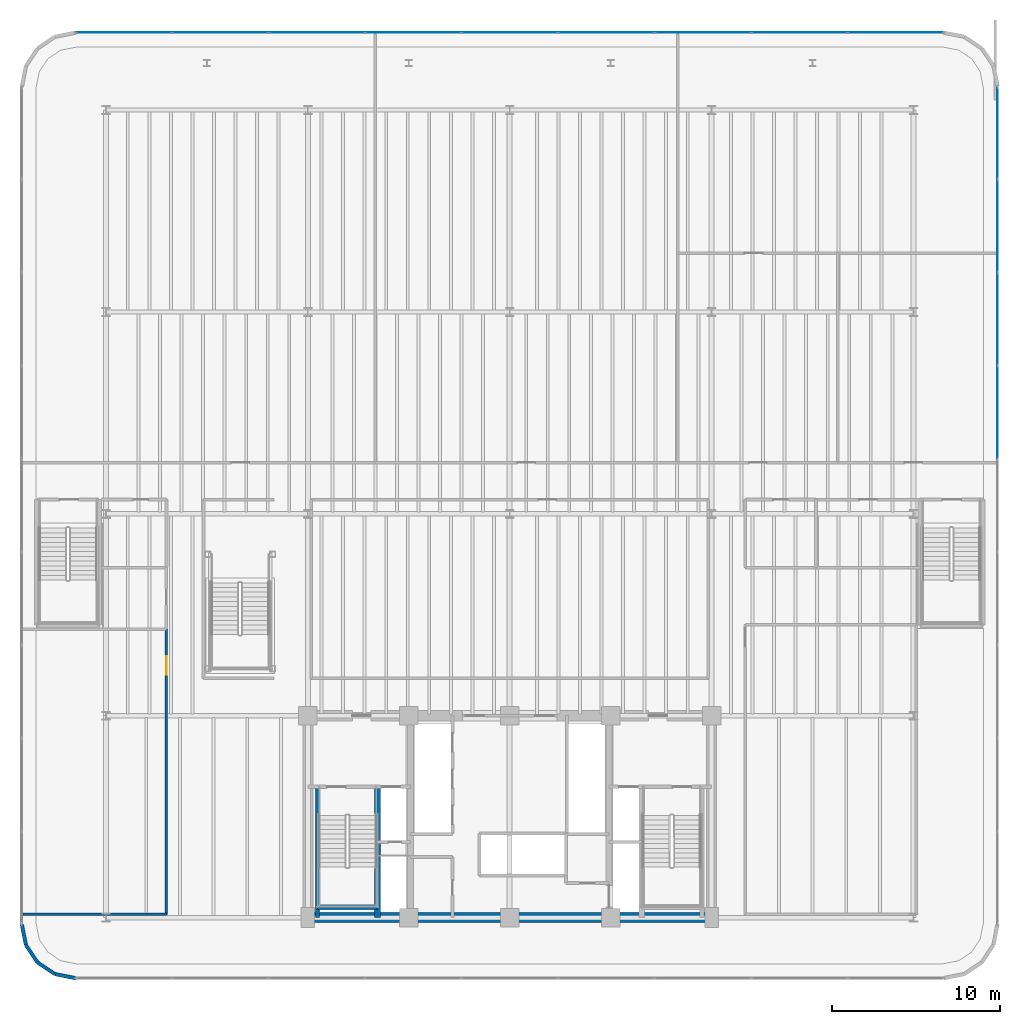
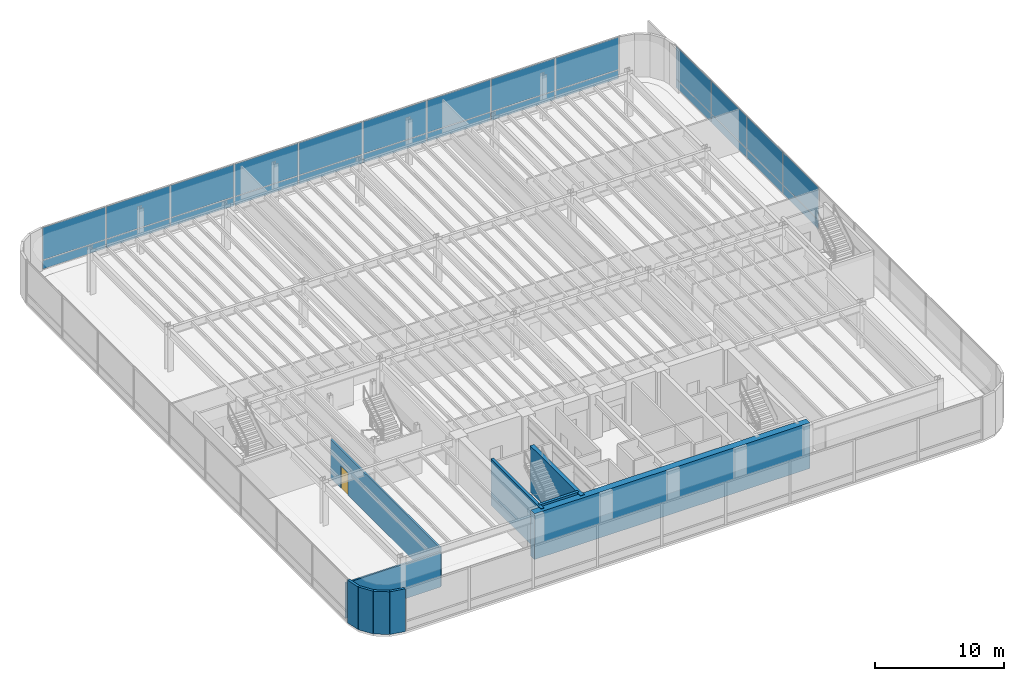
# One storey, part 12 of 19: 26 plates, 10 walls, 1 door, 1 opening, 2 elements without a shape of their own.
"""IFC4 building model written with IfcOpenShell, lengths in metres."""

import ifcopenshell
import ifcopenshell.guid

model = None  # the IFC model being written
_history = None  # IfcOwnerHistory: only IFC2X3 demands one
_inside = {}  # id of a spatial element -> (the spatial element, [elements in it])
_under = {}  # id of a project, library or spatial element -> (it, [spatial elements below it])
_declared = {}  # id of a project -> (the project, [libraries it declares])
_typed = {}  # id of a type object -> (the type object, [elements of that type])
_made_of = {}  # id of a material, layer set ... -> (it, [elements and type objects made of it])


def new_model(schema):
    """Start an empty IFC model of exactly this schema.

    Asked for "IFC4X3", IfcOpenShell would pick the latest addendum, in which some entities
    have other attributes; the version numbers below select the first issue.
    IFC2X3 requires an IfcOwnerHistory on every rooted entity: one is made here for all.
    """
    global model, _history
    if schema == "IFC4X3":
        model = ifcopenshell.file(schema_version=(4, 3, 0, 0))
    else:
        model = ifcopenshell.file(schema=schema)
    _inside.clear()
    _under.clear()
    _declared.clear()
    _typed.clear()
    _made_of.clear()
    _history = None
    if model.schema == "IFC2X3":
        org = make("IfcOrganization", Name="unknown")
        user = make(
            "IfcPersonAndOrganization",
            ThePerson=make("IfcPerson", FamilyName="unknown"),
            TheOrganization=org,
        )
        app = make(
            "IfcApplication",
            ApplicationDeveloper=org,
            Version="unknown",
            ApplicationFullName="unknown",
            ApplicationIdentifier="unknown",
        )
        _history = make(
            "IfcOwnerHistory",
            OwningUser=user,
            OwningApplication=app,
            ChangeAction="ADDED",
            CreationDate=0,
        )
    return model


def make(cls, **values):
    """One entity of the class cls with the attributes given. An attribute that is None is left unset."""
    return model.create_entity(
        cls, **{name: value for name, value in values.items() if value is not None}
    )


def rooted(cls, **values):
    """An entity with a GlobalId (a new one), such as an element, a storey or a relation."""
    return make(cls, GlobalId=ifcopenshell.guid.new(), OwnerHistory=_history, **values)


def si_unit(unit_type, name, prefix=None):
    """IfcSIUnit, for example si_unit("LENGTHUNIT", "METRE", prefix="MILLI")."""
    return make("IfcSIUnit", UnitType=unit_type, Prefix=prefix, Name=name)


def assignment(units):
    """IfcUnitAssignment: the units of a project."""
    return None if units is None else make("IfcUnitAssignment", Units=units)


def point(xyz):
    """IfcCartesianPoint."""
    return None if xyz is None else make("IfcCartesianPoint", Coordinates=xyz)


def direction(xyz):
    """IfcDirection."""
    return None if xyz is None else make("IfcDirection", DirectionRatios=xyz)


def frame(location, z_axis=None, x_axis=None):
    """IfcAxis2Placement3D, a coordinate frame: its origin and axes. An axis left out is left unset."""
    return make(
        "IfcAxis2Placement3D",
        Location=point(location),
        Axis=direction(z_axis),
        RefDirection=direction(x_axis),
    )


def frame_2d(location, x_axis=None):
    """IfcAxis2Placement2D, a coordinate frame in the plane: its origin and x axis."""
    return make(
        "IfcAxis2Placement2D", Location=point(location), RefDirection=direction(x_axis)
    )


def origin():
    """The frame at (0, 0, 0) with its axes left unset."""
    return frame((0.0, 0.0, 0.0))


def origin_2d():
    """The frame at (0, 0) in the plane with its x axis left unset."""
    return frame_2d((0.0, 0.0))


def place(relative_to, where):
    """IfcLocalPlacement: puts the frame where relative to a parent placement (None: the world)."""
    return make(
        "IfcLocalPlacement", PlacementRelTo=relative_to, RelativePlacement=where
    )


def context(
    kind, dimensions, precision=None, world=None, true_north=None, identifier=None
):
    """IfcGeometricRepresentationContext, for example the 3D "Model" context."""
    return make(
        "IfcGeometricRepresentationContext",
        ContextIdentifier=identifier,
        ContextType=kind,
        CoordinateSpaceDimension=dimensions,
        Precision=precision,
        WorldCoordinateSystem=world,
        TrueNorth=true_north,
    )


def subcontext(parent, identifier, kind, view, scale=None):
    """IfcGeometricRepresentationSubContext, for example "Body" below "Model"."""
    return make(
        "IfcGeometricRepresentationSubContext",
        ContextIdentifier=identifier,
        ContextType=kind,
        ParentContext=parent,
        TargetScale=scale,
        TargetView=view,
    )


def project(units=None, contexts=None):
    """IfcProject with its units and contexts."""
    return rooted(
        "IfcProject",
        Name="project",
        RepresentationContexts=contexts,
        UnitsInContext=assignment(units),
    )


def spatial(cls, under=None, at=None, **own):
    """A site, building, storey or space (cls), placed at a placement, below another one or the project."""
    s = rooted(cls, ObjectPlacement=at, **own)
    if under is not None:
        _under.setdefault(under.id(), (under, []))[1].append(s)
    return s


def profile(cls, at=None, kind="AREA", **sizes):
    """A parametric profile (cls). Its sizes go by their IFC names, for example OverallWidth=200.0."""
    return make(cls, ProfileType=kind, Position=at, **sizes)


def rectangle(**sizes):
    """IfcRectangleProfileDef."""
    return profile("IfcRectangleProfileDef", **sizes)


def extrude(swept, where, along, depth):
    """IfcExtrudedAreaSolid: the profile swept, set in the frame where, extruded along a direction by depth."""
    return make(
        "IfcExtrudedAreaSolid",
        SweptArea=swept,
        Position=where,
        ExtrudedDirection=direction(along),
        Depth=depth,
    )


def shape(context_of_items, identifier, shape_type, items):
    """IfcShapeRepresentation: the items that make up one representation, for example the "Body"."""
    return make(
        "IfcShapeRepresentation",
        ContextOfItems=context_of_items,
        RepresentationIdentifier=identifier,
        RepresentationType=shape_type,
        Items=items,
    )


def source(mapping_origin, context_of_items, identifier, shape_type, items):
    """IfcRepresentationMap: a shape defined once, which mapped items show again and again."""
    return make(
        "IfcRepresentationMap",
        MappingOrigin=mapping_origin,
        MappedRepresentation=shape(context_of_items, identifier, shape_type, items),
    )


def transform(
    local_origin,
    x_axis=None,
    y_axis=None,
    z_axis=None,
    scale=None,
    scale2=None,
    scale3=None,
    uniform=True,
):
    """IfcCartesianTransformationOperator3D, or its non-uniform kind. x_axis, y_axis, z_axis: its Axis1, 2, 3."""
    if uniform:
        return make(
            "IfcCartesianTransformationOperator3D",
            Axis1=direction(x_axis),
            Axis2=direction(y_axis),
            LocalOrigin=point(local_origin),
            Scale=scale,
            Axis3=direction(z_axis),
        )
    return make(
        "IfcCartesianTransformationOperator3DnonUniform",
        Axis1=direction(x_axis),
        Axis2=direction(y_axis),
        LocalOrigin=point(local_origin),
        Scale=scale,
        Axis3=direction(z_axis),
        Scale2=scale2,
        Scale3=scale3,
    )


def mapped(mapping_source, mapping_target):
    """IfcMappedItem: shows the shape of a source again, moved by a transform."""
    return make(
        "IfcMappedItem", MappingSource=mapping_source, MappingTarget=mapping_target
    )


def material(Name=None, Category=None):
    """IfcMaterial."""
    return make("IfcMaterial", Name=Name, Category=Category)


def layer(
    of_material, thickness, ventilated=None, Name=None, Category=None, Priority=None
):
    """IfcMaterialLayer: one layer of a wall or slab, of a material (None: an air gap)."""
    return make(
        "IfcMaterialLayer",
        Material=of_material,
        LayerThickness=thickness,
        IsVentilated=ventilated,
        Name=Name,
        Category=Category,
        Priority=Priority,
    )


def layer_set(layers, Name=None):
    """IfcMaterialLayerSet."""
    return make("IfcMaterialLayerSet", MaterialLayers=layers, LayerSetName=Name)


def made_of(thing, what):
    """Note that an element or type object is made of a material, layer set ...; save() writes the relation."""
    if what is not None:
        _made_of.setdefault(what.id(), (what, []))[1].append(thing)
    return thing


def type_object(cls, material=None, **own):
    """A type object (cls), such as IfcWallType, which elements share."""
    return made_of(rooted(cls, **own), material)


def element(
    cls,
    number,
    at=None,
    inside=None,
    cuts=None,
    type_object=None,
    material=None,
    context=None,
    identifier="Body",
    shape_type=None,
    held_by="IfcProductDefinitionShape",
    body=None,
    shapes=None,
    **own,
):
    """One element of the class cls, such as IfcWall. Its Tag is "e" and its number.

    at: its placement. inside: the storey or other place that contains it. cuts: it is an
    opening in that element (IfcRelVoidsElement). A single representation is given by context,
    identifier, shape_type and body (its items); several are given by shapes. held_by: the class
    of the entity that holds the representations. save() writes the other relations.
    """
    e = rooted(cls, Tag="e%d" % number, ObjectPlacement=at, **own)
    if body is not None:
        shapes = [shape(context, identifier, shape_type, body)]
    if shapes is not None:
        e.Representation = make(held_by, Representations=shapes)
    if inside is not None:
        _inside.setdefault(inside.id(), (inside, []))[1].append(e)
    if cuts is not None:
        rooted(
            "IfcRelVoidsElement", RelatingBuildingElement=cuts, RelatedOpeningElement=e
        )
    if type_object is not None:
        _typed.setdefault(type_object.id(), (type_object, []))[1].append(e)
    return made_of(e, material)


def fill(opening, filler):
    """IfcRelFillsElement: the door or window that sits in an opening."""
    return rooted(
        "IfcRelFillsElement",
        RelatingOpeningElement=opening,
        RelatedBuildingElement=filler,
    )


def aggregate(whole, parts):
    """IfcRelAggregates: a whole, such as a stair, and the parts it consists of."""
    return rooted("IfcRelAggregates", RelatingObject=whole, RelatedObjects=parts)


def save(model, path):
    """Write the relations noted so far, then the file.

    IfcRelAggregates (storeys below a building ...), IfcRelContainedInSpatialStructure (elements
    in a storey), IfcRelDefinesByType, IfcRelAssociatesMaterial and IfcRelDeclares: one each for
    every whole, place, type object, material and project.
    """
    for whole, parts in _under.values():
        aggregate(whole, parts)
    for where, things in _inside.values():
        rooted(
            "IfcRelContainedInSpatialStructure",
            RelatedElements=things,
            RelatingStructure=where,
        )
    for kind, things in _typed.values():
        rooted("IfcRelDefinesByType", RelatedObjects=things, RelatingType=kind)
    for what, things in _made_of.values():
        rooted("IfcRelAssociatesMaterial", RelatedObjects=things, RelatingMaterial=what)
    for by, libraries in _declared.values():
        rooted("IfcRelDeclares", RelatingContext=by, RelatedDefinitions=libraries)
    model.write(path)


model = new_model("IFC4")

# Units and contexts
model_context = context("Model", 3, precision=1e-05, world=origin(), true_north=direction((0.0, 1.0)))
body_context = subcontext(model_context, "Body", "Model", "MODEL_VIEW")
ifc_project = project(units=[si_unit("LENGTHUNIT", "METRE"), si_unit("AREAUNIT", "SQUARE_METRE"), si_unit("VOLUMEUNIT", "CUBIC_METRE"), si_unit("PLANEANGLEUNIT", "RADIAN"), si_unit("MASSUNIT", "GRAM", prefix="KILO")], contexts=[model_context])

# Site, building, storey
site_placement = place(None, origin())
site = spatial("IfcSite", under=ifc_project, at=site_placement, CompositionType="ELEMENT")
building_placement = place(site_placement, origin())
building = spatial("IfcBuilding", under=site, at=building_placement, Name="Brelvock Crest Care Tower", CompositionType="ELEMENT")
storey_placement = place(building_placement, frame((0.0, 0.0, 14.0400390625)))
storey = spatial("IfcBuildingStorey", under=building, at=storey_placement, Name="L03", CompositionType="ELEMENT", Elevation=14.0400390625)

# Curtain wall, plates
ifc_material_1 = material(Name="Dark Glass Double Glazed Low-E", Category="glass")
ifc_layer_1 = layer(ifc_material_1, 0.179931640625, Name="CWS-1")
ifc_layer_set_1 = layer_set([ifc_layer_1], Name="Dark Glass Double Glazed Low-E")
curtain_wall_type = type_object("IfcCurtainWallType", Name="CWS-1", PredefinedType="NOTDEFINED", material=ifc_layer_set_1)
curtain_wall_1_placement = place(storey_placement, origin())
curtain_wall_1 = element("IfcCurtainWall", 1, at=curtain_wall_1_placement, inside=storey, type_object=curtain_wall_type, Name="L03 Curtain Wall E14", PredefinedType="NOTDEFINED")
ifc_material_2 = material(Name="Dark Glass Shadow-Box Spandrel", Category="glass")
ifc_layer_2 = layer(ifc_material_2, 0.048095703125, Name="CWP-SP1")
ifc_layer_set_2 = layer_set([ifc_layer_2], Name="Dark Glass Shadow-Box Spandrel")
plate_type_1 = type_object("IfcPlateType", Name="CWP-SP1", PredefinedType="SHEET", material=ifc_layer_set_2)
shared_shape_1 = source(origin(), body_context, "Body", "SweptSolid", [
    extrude(rectangle(XDim=5.435791015625, YDim=0.035888671875, at=origin_2d()), origin(), (0.0, 0.0, 1.0), 0.802490234375),
])
plate_1_placement = place(storey_placement, frame((65.0, 52.6171875, 0.06494140625), z_axis=(0.0, 0.0, 1.0), x_axis=(0.0, -1.0, 0.0)))
plate_1 = element("IfcPlate", 2, at=plate_1_placement, type_object=plate_type_1, Name="CW-1 panel 1.1", PredefinedType="SHEET", context=body_context, shape_type="MappedRepresentation", body=[
    mapped(shared_shape_1, transform((0.0, 0.0, 0.0), x_axis=(1.0, 0.0, 0.0), y_axis=(0.0, 1.0, 0.0), z_axis=(0.0, 0.0, 1.0), scale=1.0)),
])
ifc_layer_3 = layer(ifc_material_1, 0.031982421875, Name="CWP-V1")
ifc_layer_set_3 = layer_set([ifc_layer_3], Name="Dark Glass Double Glazed Low-E")
plate_type_2 = type_object("IfcPlateType", Name="CWP-V1", PredefinedType="CURTAIN_PANEL", material=ifc_layer_set_3)
shared_shape_2 = source(origin(), body_context, "Body", "SweptSolid", [
    extrude(rectangle(XDim=5.435791015625, YDim=0.035888671875, at=origin_2d()), origin(), (0.0, 0.0, 1.0), 3.04248046875),
])
plate_2_placement = place(storey_placement, frame((65.0, 52.6171875, 0.932373046875), z_axis=(0.0, 0.0, 1.0), x_axis=(0.0, -1.0, 0.0)))
plate_2 = element("IfcPlate", 3, at=plate_2_placement, type_object=plate_type_2, Name="CW-1 panel 1.2", PredefinedType="CURTAIN_PANEL", context=body_context, shape_type="MappedRepresentation", body=[
    mapped(shared_shape_2, transform((0.0, 0.0, 0.0), x_axis=(1.0, 0.0, 0.0), y_axis=(0.0, 1.0, 0.0), z_axis=(0.0, 0.0, 1.0), scale=1.0)),
])
shared_shape_3 = source(origin(), body_context, "Body", "SweptSolid", [
    extrude(rectangle(XDim=5.46826171875, YDim=0.035888671875, at=origin_2d()), origin(), (0.0, 0.0, 1.0), 0.802490234375),
])
plate_3_placement = place(storey_placement, frame((65.0, 47.10009765625, 0.06494140625), z_axis=(0.0, 0.0, 1.0), x_axis=(0.0, -1.0, 0.0)))
plate_3 = element("IfcPlate", 4, at=plate_3_placement, type_object=plate_type_1, Name="CW-1 panel 2.1", PredefinedType="SHEET", context=body_context, shape_type="MappedRepresentation", body=[
    mapped(shared_shape_3, transform((0.0, 0.0, 0.0), x_axis=(1.0, 0.0, 0.0), y_axis=(0.0, 1.0, 0.0), z_axis=(0.0, 0.0, 1.0), scale=1.0)),
])
plate_4_placement = place(storey_placement, frame((65.0, 41.566650390625, 0.06494140625), z_axis=(0.0, 0.0, 1.0), x_axis=(0.0, -1.0, 0.0)))
plate_4 = element("IfcPlate", 5, at=plate_4_placement, type_object=plate_type_1, Name="CW-1 panel 3.1", PredefinedType="SHEET", context=body_context, shape_type="MappedRepresentation", body=[
    mapped(shared_shape_3, transform((0.0, 0.0, 0.0), x_axis=(1.0, 0.0, 0.0), y_axis=(0.0, 1.0, 0.0), z_axis=(0.0, 0.0, 1.0), scale=1.0)),
])
plate_5_placement = place(storey_placement, frame((65.0, 36.033447265625, 0.06494140625), z_axis=(0.0, 0.0, 1.0), x_axis=(0.0, -1.0, 0.0)))
plate_5 = element("IfcPlate", 6, at=plate_5_placement, type_object=plate_type_1, Name="CW-1 panel 4.1", PredefinedType="SHEET", context=body_context, shape_type="MappedRepresentation", body=[
    mapped(shared_shape_3, transform((0.0, 0.0, 0.0), x_axis=(1.0, 0.0, 0.0), y_axis=(0.0, 1.0, 0.0), z_axis=(0.0, 0.0, 1.0), scale=1.0)),
])
shared_shape_4 = source(origin(), body_context, "Body", "SweptSolid", [
    extrude(rectangle(XDim=5.46826171875, YDim=0.035888671875, at=origin_2d()), origin(), (0.0, 0.0, 1.0), 3.04248046875),
])
plate_6_placement = place(storey_placement, frame((65.0, 47.10009765625, 0.932373046875), z_axis=(0.0, 0.0, 1.0), x_axis=(0.0, -1.0, 0.0)))
plate_6 = element("IfcPlate", 7, at=plate_6_placement, type_object=plate_type_2, Name="CW-1 panel 2.2", PredefinedType="CURTAIN_PANEL", context=body_context, shape_type="MappedRepresentation", body=[
    mapped(shared_shape_4, transform((0.0, 0.0, 0.0), x_axis=(1.0, 0.0, 0.0), y_axis=(0.0, 1.0, 0.0), z_axis=(0.0, 0.0, 1.0), scale=1.0)),
])
plate_7_placement = place(storey_placement, frame((65.0, 41.566650390625, 0.932373046875), z_axis=(0.0, 0.0, 1.0), x_axis=(0.0, -1.0, 0.0)))
plate_7 = element("IfcPlate", 8, at=plate_7_placement, type_object=plate_type_2, Name="CW-1 panel 3.2", PredefinedType="CURTAIN_PANEL", context=body_context, shape_type="MappedRepresentation", body=[
    mapped(shared_shape_4, transform((0.0, 0.0, 0.0), x_axis=(1.0, 0.0, 0.0), y_axis=(0.0, 1.0, 0.0), z_axis=(0.0, 0.0, 1.0), scale=1.0)),
])
plate_8_placement = place(storey_placement, frame((65.0, 36.033447265625, 0.932373046875), z_axis=(0.0, 0.0, 1.0), x_axis=(0.0, -1.0, 0.0)))
plate_8 = element("IfcPlate", 9, at=plate_8_placement, type_object=plate_type_2, Name="CW-1 panel 4.2", PredefinedType="CURTAIN_PANEL", context=body_context, shape_type="MappedRepresentation", body=[
    mapped(shared_shape_4, transform((0.0, 0.0, 0.0), x_axis=(1.0, 0.0, 0.0), y_axis=(0.0, 1.0, 0.0), z_axis=(0.0, 0.0, 1.0), scale=1.0)),
])
aggregate(curtain_wall_1, [plate_1, plate_2, plate_3, plate_6, plate_4, plate_7, plate_5, plate_8])

curtain_wall_2_placement = place(storey_placement, origin())
curtain_wall_2 = element("IfcCurtainWall", 10, at=curtain_wall_2_placement, inside=storey, type_object=curtain_wall_type, Name="L03 Curtain Wall E09", PredefinedType="NOTDEFINED")
shared_shape_5 = source(origin(), body_context, "Body", "SweptSolid", [
    extrude(rectangle(XDim=5.6357421875, YDim=0.035888671875, at=origin_2d()), origin(), (0.0, 0.0, 1.0), 0.802490234375),
])
plate_9_placement = place(storey_placement, frame((13.0830078125, 58.60009765625, 0.06494140625), z_axis=(0.0, 0.0, 1.0), x_axis=(1.0, 0.0, 0.0)))
plate_9 = element("IfcPlate", 11, at=plate_9_placement, type_object=plate_type_1, Name="CW-1 panel 1.1", PredefinedType="SHEET", context=body_context, shape_type="MappedRepresentation", body=[
    mapped(shared_shape_5, transform((0.0, 0.0, 0.0), x_axis=(1.0, 0.0, 0.0), y_axis=(0.0, 1.0, 0.0), z_axis=(0.0, 0.0, 1.0), scale=1.0)),
])
plate_10_placement = place(storey_placement, frame((58.9169921875, 58.60009765625, 0.06494140625), z_axis=(0.0, 0.0, 1.0), x_axis=(1.0, 0.0, 0.0)))
plate_10 = element("IfcPlate", 12, at=plate_10_placement, type_object=plate_type_1, Name="CW-1 panel 9.1", PredefinedType="SHEET", context=body_context, shape_type="MappedRepresentation", body=[
    mapped(shared_shape_5, transform((0.0, 0.0, 0.0), x_axis=(1.0, 0.0, 0.0), y_axis=(0.0, 1.0, 0.0), z_axis=(0.0, 0.0, 1.0), scale=1.0)),
])
shared_shape_6 = source(origin(), body_context, "Body", "SweptSolid", [
    extrude(rectangle(XDim=5.6357421875, YDim=0.035888671875, at=origin_2d()), origin(), (0.0, 0.0, 1.0), 3.04248046875),
])
plate_11_placement = place(storey_placement, frame((13.0830078125, 58.60009765625, 0.932373046875), z_axis=(0.0, 0.0, 1.0), x_axis=(1.0, 0.0, 0.0)))
plate_11 = element("IfcPlate", 13, at=plate_11_placement, type_object=plate_type_2, Name="CW-1 panel 1.2", PredefinedType="CURTAIN_PANEL", context=body_context, shape_type="MappedRepresentation", body=[
    mapped(shared_shape_6, transform((0.0, 0.0, 0.0), x_axis=(1.0, 0.0, 0.0), y_axis=(0.0, 1.0, 0.0), z_axis=(0.0, 0.0, 1.0), scale=1.0)),
])
plate_12_placement = place(storey_placement, frame((58.9169921875, 58.60009765625, 0.932373046875), z_axis=(0.0, 0.0, 1.0), x_axis=(1.0, 0.0, 0.0)))
plate_12 = element("IfcPlate", 14, at=plate_12_placement, type_object=plate_type_2, Name="CW-1 panel 9.2", PredefinedType="CURTAIN_PANEL", context=body_context, shape_type="MappedRepresentation", body=[
    mapped(shared_shape_6, transform((0.0, 0.0, 0.0), x_axis=(1.0, 0.0, 0.0), y_axis=(0.0, 1.0, 0.0), z_axis=(0.0, 0.0, 1.0), scale=1.0)),
])
shared_shape_7 = source(origin(), body_context, "Body", "SweptSolid", [
    extrude(rectangle(XDim=5.668212890625, YDim=0.035888671875, at=origin_2d()), origin(), (0.0, 0.0, 1.0), 0.802490234375),
])
plate_13_placement = place(storey_placement, frame((18.800048828125, 58.60009765625, 0.06494140625), z_axis=(0.0, 0.0, 1.0), x_axis=(1.0, 0.0, 0.0)))
plate_13 = element("IfcPlate", 15, at=plate_13_placement, type_object=plate_type_1, Name="CW-1 panel 2.1", PredefinedType="SHEET", context=body_context, shape_type="MappedRepresentation", body=[
    mapped(shared_shape_7, transform((0.0, 0.0, 0.0), x_axis=(1.0, 0.0, 0.0), y_axis=(0.0, 1.0, 0.0), z_axis=(0.0, 0.0, 1.0), scale=1.0)),
])
plate_14_placement = place(storey_placement, frame((24.533447265625, 58.60009765625, 0.06494140625), z_axis=(0.0, 0.0, 1.0), x_axis=(1.0, 0.0, 0.0)))
plate_14 = element("IfcPlate", 16, at=plate_14_placement, type_object=plate_type_1, Name="CW-1 panel 3.1", PredefinedType="SHEET", context=body_context, shape_type="MappedRepresentation", body=[
    mapped(shared_shape_7, transform((0.0, 0.0, 0.0), x_axis=(1.0, 0.0, 0.0), y_axis=(0.0, 1.0, 0.0), z_axis=(0.0, 0.0, 1.0), scale=1.0)),
])
plate_15_placement = place(storey_placement, frame((30.2666015625, 58.60009765625, 0.06494140625), z_axis=(0.0, 0.0, 1.0), x_axis=(1.0, 0.0, 0.0)))
plate_15 = element("IfcPlate", 17, at=plate_15_placement, type_object=plate_type_1, Name="CW-1 panel 4.1", PredefinedType="SHEET", context=body_context, shape_type="MappedRepresentation", body=[
    mapped(shared_shape_7, transform((0.0, 0.0, 0.0), x_axis=(1.0, 0.0, 0.0), y_axis=(0.0, 1.0, 0.0), z_axis=(0.0, 0.0, 1.0), scale=1.0)),
])
plate_16_placement = place(storey_placement, frame((36.0, 58.60009765625, 0.06494140625), z_axis=(0.0, 0.0, 1.0), x_axis=(1.0, 0.0, 0.0)))
plate_16 = element("IfcPlate", 18, at=plate_16_placement, type_object=plate_type_1, Name="CW-1 panel 5.1", PredefinedType="SHEET", context=body_context, shape_type="MappedRepresentation", body=[
    mapped(shared_shape_7, transform((0.0, 0.0, 0.0), x_axis=(1.0, 0.0, 0.0), y_axis=(0.0, 1.0, 0.0), z_axis=(0.0, 0.0, 1.0), scale=1.0)),
])
plate_17_placement = place(storey_placement, frame((41.7333984375, 58.60009765625, 0.06494140625), z_axis=(0.0, 0.0, 1.0), x_axis=(1.0, 0.0, 0.0)))
plate_17 = element("IfcPlate", 19, at=plate_17_placement, type_object=plate_type_1, Name="CW-1 panel 6.1", PredefinedType="SHEET", context=body_context, shape_type="MappedRepresentation", body=[
    mapped(shared_shape_7, transform((0.0, 0.0, 0.0), x_axis=(1.0, 0.0, 0.0), y_axis=(0.0, 1.0, 0.0), z_axis=(0.0, 0.0, 1.0), scale=1.0)),
])
plate_18_placement = place(storey_placement, frame((47.466552734375, 58.60009765625, 0.06494140625), z_axis=(0.0, 0.0, 1.0), x_axis=(1.0, 0.0, 0.0)))
plate_18 = element("IfcPlate", 20, at=plate_18_placement, type_object=plate_type_1, Name="CW-1 panel 7.1", PredefinedType="SHEET", context=body_context, shape_type="MappedRepresentation", body=[
    mapped(shared_shape_7, transform((0.0, 0.0, 0.0), x_axis=(1.0, 0.0, 0.0), y_axis=(0.0, 1.0, 0.0), z_axis=(0.0, 0.0, 1.0), scale=1.0)),
])
plate_19_placement = place(storey_placement, frame((53.199951171875, 58.60009765625, 0.06494140625), z_axis=(0.0, 0.0, 1.0), x_axis=(1.0, 0.0, 0.0)))
plate_19 = element("IfcPlate", 21, at=plate_19_placement, type_object=plate_type_1, Name="CW-1 panel 8.1", PredefinedType="SHEET", context=body_context, shape_type="MappedRepresentation", body=[
    mapped(shared_shape_7, transform((0.0, 0.0, 0.0), x_axis=(1.0, 0.0, 0.0), y_axis=(0.0, 1.0, 0.0), z_axis=(0.0, 0.0, 1.0), scale=1.0)),
])
shared_shape_8 = source(origin(), body_context, "Body", "SweptSolid", [
    extrude(rectangle(XDim=5.668212890625, YDim=0.035888671875, at=origin_2d()), origin(), (0.0, 0.0, 1.0), 3.04248046875),
])
plate_20_placement = place(storey_placement, frame((18.800048828125, 58.60009765625, 0.932373046875), z_axis=(0.0, 0.0, 1.0), x_axis=(1.0, 0.0, 0.0)))
plate_20 = element("IfcPlate", 22, at=plate_20_placement, type_object=plate_type_2, Name="CW-1 panel 2.2", PredefinedType="CURTAIN_PANEL", context=body_context, shape_type="MappedRepresentation", body=[
    mapped(shared_shape_8, transform((0.0, 0.0, 0.0), x_axis=(1.0, 0.0, 0.0), y_axis=(0.0, 1.0, 0.0), z_axis=(0.0, 0.0, 1.0), scale=1.0)),
])
plate_21_placement = place(storey_placement, frame((24.533447265625, 58.60009765625, 0.932373046875), z_axis=(0.0, 0.0, 1.0), x_axis=(1.0, 0.0, 0.0)))
plate_21 = element("IfcPlate", 23, at=plate_21_placement, type_object=plate_type_2, Name="CW-1 panel 3.2", PredefinedType="CURTAIN_PANEL", context=body_context, shape_type="MappedRepresentation", body=[
    mapped(shared_shape_8, transform((0.0, 0.0, 0.0), x_axis=(1.0, 0.0, 0.0), y_axis=(0.0, 1.0, 0.0), z_axis=(0.0, 0.0, 1.0), scale=1.0)),
])
plate_22_placement = place(storey_placement, frame((30.2666015625, 58.60009765625, 0.932373046875), z_axis=(0.0, 0.0, 1.0), x_axis=(1.0, 0.0, 0.0)))
plate_22 = element("IfcPlate", 24, at=plate_22_placement, type_object=plate_type_2, Name="CW-1 panel 4.2", PredefinedType="CURTAIN_PANEL", context=body_context, shape_type="MappedRepresentation", body=[
    mapped(shared_shape_8, transform((0.0, 0.0, 0.0), x_axis=(1.0, 0.0, 0.0), y_axis=(0.0, 1.0, 0.0), z_axis=(0.0, 0.0, 1.0), scale=1.0)),
])
plate_23_placement = place(storey_placement, frame((36.0, 58.60009765625, 0.932373046875), z_axis=(0.0, 0.0, 1.0), x_axis=(1.0, 0.0, 0.0)))
plate_23 = element("IfcPlate", 25, at=plate_23_placement, type_object=plate_type_2, Name="CW-1 panel 5.2", PredefinedType="CURTAIN_PANEL", context=body_context, shape_type="MappedRepresentation", body=[
    mapped(shared_shape_8, transform((0.0, 0.0, 0.0), x_axis=(1.0, 0.0, 0.0), y_axis=(0.0, 1.0, 0.0), z_axis=(0.0, 0.0, 1.0), scale=1.0)),
])
plate_24_placement = place(storey_placement, frame((41.7333984375, 58.60009765625, 0.932373046875), z_axis=(0.0, 0.0, 1.0), x_axis=(1.0, 0.0, 0.0)))
plate_24 = element("IfcPlate", 26, at=plate_24_placement, type_object=plate_type_2, Name="CW-1 panel 6.2", PredefinedType="CURTAIN_PANEL", context=body_context, shape_type="MappedRepresentation", body=[
    mapped(shared_shape_8, transform((0.0, 0.0, 0.0), x_axis=(1.0, 0.0, 0.0), y_axis=(0.0, 1.0, 0.0), z_axis=(0.0, 0.0, 1.0), scale=1.0)),
])
plate_25_placement = place(storey_placement, frame((47.466552734375, 58.60009765625, 0.932373046875), z_axis=(0.0, 0.0, 1.0), x_axis=(1.0, 0.0, 0.0)))
plate_25 = element("IfcPlate", 27, at=plate_25_placement, type_object=plate_type_2, Name="CW-1 panel 7.2", PredefinedType="CURTAIN_PANEL", context=body_context, shape_type="MappedRepresentation", body=[
    mapped(shared_shape_8, transform((0.0, 0.0, 0.0), x_axis=(1.0, 0.0, 0.0), y_axis=(0.0, 1.0, 0.0), z_axis=(0.0, 0.0, 1.0), scale=1.0)),
])
plate_26_placement = place(storey_placement, frame((53.199951171875, 58.60009765625, 0.932373046875), z_axis=(0.0, 0.0, 1.0), x_axis=(1.0, 0.0, 0.0)))
plate_26 = element("IfcPlate", 28, at=plate_26_placement, type_object=plate_type_2, Name="CW-1 panel 8.2", PredefinedType="CURTAIN_PANEL", context=body_context, shape_type="MappedRepresentation", body=[
    mapped(shared_shape_8, transform((0.0, 0.0, 0.0), x_axis=(1.0, 0.0, 0.0), y_axis=(0.0, 1.0, 0.0), z_axis=(0.0, 0.0, 1.0), scale=1.0)),
])
aggregate(curtain_wall_2, [plate_9, plate_11, plate_13, plate_20, plate_14, plate_21, plate_15, plate_22, plate_16, plate_23, plate_17, plate_24, plate_18, plate_25, plate_19, plate_26, plate_10, plate_12])

# Walls
ifc_material_3 = material(Name="Concrete S80 (80 MPa)", Category="concrete")
ifc_layer_4 = layer(ifc_material_3, 0.60009765625, Name="WL-CS1")
ifc_layer_set_4 = layer_set([ifc_layer_4], Name="Concrete S80 (80 MPa)")
wall_type_1 = type_object("IfcWallType", Name="WL-CS1", PredefinedType="SHEAR", material=ifc_layer_set_4)
wall_1_placement = place(storey_placement, frame((48.300048828125, 6.0, 0.0), z_axis=(0.0, 0.0, 1.0), x_axis=(-1.0, 0.0, 0.0)))
element("IfcWall", 29, at=wall_1_placement, inside=storey, type_object=wall_type_1, Name="L03 Core South Shear Wall", PredefinedType="SHEAR", context=body_context, shape_type="SweptSolid", body=[
    extrude(rectangle(XDim=24.60009765625, YDim=0.60009765625, at=frame_2d((12.300048828125, 0.0))), origin(), (0.0, 0.0, 1.0), 4.320068359375),
])
ifc_layer_5 = layer(ifc_material_3, 0.35009765625, Name="WL-CS5")
ifc_layer_set_5 = layer_set([ifc_layer_5], Name="Concrete S80 (80 MPa)")
wall_type_2 = type_object("IfcWallType", Name="WL-CS5", PredefinedType="SHEAR", material=ifc_layer_set_5)
wall_2_placement = place(storey_placement, frame((28.14990234375, 6.0, 0.0), z_axis=(0.0, 0.0, 1.0), x_axis=(0.0, 1.0, 0.0)))
element("IfcWall", 30, at=wall_2_placement, inside=storey, type_object=wall_type_2, Name="L03 Core Stair ST-1 East Shear Wall", PredefinedType="SHEAR", context=body_context, shape_type="SweptSolid", body=[
    extrude(rectangle(XDim=7.780029296875, YDim=0.35009765625, at=frame_2d((3.89013671875, 0.0))), origin(), (0.0, 0.0, 1.0), 4.35986328125),
])
ifc_layer_6 = layer(ifc_material_3, 0.25, Name="WL-CS6")
ifc_layer_set_6 = layer_set([ifc_layer_6], Name="Concrete S80 (80 MPa)")
wall_type_3 = type_object("IfcWallType", Name="WL-CS6", PredefinedType="SHEAR", material=ifc_layer_set_6)
wall_3_placement = place(storey_placement, frame((24.580078125, 6.0, 0.0), z_axis=(0.0, 0.0, 1.0), x_axis=(0.0, 1.0, 0.0)))
element("IfcWall", 31, at=wall_3_placement, inside=storey, type_object=wall_type_3, Name="L03 Core Stair ST-1 West Shear Wall", PredefinedType="SHEAR", context=body_context, shape_type="SweptSolid", body=[
    extrude(rectangle(XDim=7.780029296875, YDim=0.25, at=frame_2d((3.89013671875, 0.0))), origin(), (0.0, 0.0, 1.0), 4.35986328125),
])
wall_4_placement = place(storey_placement, frame((24.580078125, 6.6201171875, 0.0), z_axis=(0.0, 0.0, 1.0), x_axis=(1.0, 0.0, 0.0)))
element("IfcWall", 32, at=wall_4_placement, inside=storey, type_object=wall_type_3, Name="L03 Core Stair ST-1 South Shear Wall", PredefinedType="SHEAR", context=body_context, shape_type="SweptSolid", body=[
    extrude(rectangle(XDim=3.56982421875, YDim=0.25, at=frame_2d((1.784912109375, 0.0))), origin(), (0.0, 0.0, 1.0), 4.35986328125),
])
ifc_material_4 = material(Name="Precast concrete N40 (40 MPa)", Category="concrete")
ifc_layer_7 = layer(ifc_material_4, 0.215087890625, Name="WL-EX2")
ifc_layer_set_7 = layer_set([ifc_layer_7], Name="Precast concrete N40 (40 MPa)")
wall_type_4 = type_object("IfcWallType", Name="WL-EX2", PredefinedType="SOLIDWALL", material=ifc_layer_set_7)
for number, where, z_axis, x_axis, name in (
    (33, (10.199951171875, 2.39990234375, 0.0), (0.0, 0.0, 1.0), (-0.980775717779, 0.195138390419, 0.0), "L03 Rounded Corner Wall 00"),
    (34, (8.975341796875, 2.6435546875, 0.0), (0.0, 0.0, 1.0), (-0.831387912822, 0.555692485475, 0.0), "L03 Rounded Corner Wall 01"),
    (35, (7.937255859375, 3.33740234375, 0.0), (0.0, 0.0, 1.0), (-0.555557312883, 0.831478245117, 0.0), "L03 Rounded Corner Wall 02"),
    (36, (7.24365234375, 4.37548828125, 0.0), (0.0, 0.0, 1.0), (-0.195138390419, 0.980775717779, 0.0), "L03 Rounded Corner Wall 03"),
):
    element("IfcWall", number, at=place(storey_placement, frame(where, z_axis=z_axis, x_axis=x_axis)), inside=storey, type_object=wall_type_4, Name=name, PredefinedType="SOLIDWALL", context=body_context, shape_type="SweptSolid", body=[
        extrude(rectangle(XDim=1.24853515625, YDim=0.215087890625, at=frame_2d((0.624267578125, 0.0))), origin(), (0.0, 0.0, 1.0), 4.0400390625),
    ])
ifc_material_5 = material(Name="Masonry Blockwork Acoustic Partition", Category="masonry")
ifc_layer_8 = layer(ifc_material_5, 0.14990234375, Name="WL-INT1")
ifc_layer_set_8 = layer_set([ifc_layer_8], Name="Masonry Blockwork Acoustic Partition")
wall_type_5 = type_object("IfcWallType", Name="WL-INT1", PredefinedType="PARTITIONING", material=ifc_layer_set_8)
wall_5_placement = place(storey_placement, frame((7.080078125, 6.199951171875, 0.0), z_axis=(0.0, 0.0, 1.0), x_axis=(1.0, 0.0, 0.0)))
element("IfcWall", 37, at=wall_5_placement, inside=storey, type_object=wall_type_5, Name="L03 Interior Wall WL-BX-L03-PLTW-S", PredefinedType="PARTITIONING", context=body_context, shape_type="SweptSolid", body=[
    extrude(rectangle(XDim=8.52001953125, YDim=0.14990234375, at=frame_2d((4.260009765625, 0.0))), origin(), (0.0, 0.0, 1.0), 3.324951171875),
])

# Wall, opening, door
wall_6_placement = place(storey_placement, frame((15.60009765625, 6.199951171875, 0.0), z_axis=(0.0, 0.0, 1.0), x_axis=(0.0, 1.0, 0.0)))
wall_6 = element("IfcWall", 38, at=wall_6_placement, inside=storey, type_object=wall_type_5, Name="L03 Interior Wall WL-RM-L03-PLTW", PredefinedType="PARTITIONING", context=body_context, shape_type="SweptSolid", body=[
    extrude(rectangle(XDim=16.949951171875, YDim=0.14990234375, at=frame_2d((8.47509765625, 0.0))), origin(), (0.0, 0.0, 1.0), 3.666015625),
])
opening_placement = place(wall_6_placement, frame((14.25, 0.0, 0.0)))
opening = element("IfcOpeningElement", 39, at=opening_placement, cuts=wall_6, Name="Opening PD-1", PredefinedType="OPENING", context=body_context, shape_type="SweptSolid", body=[
    extrude(rectangle(XDim=1.10009765625, YDim=2.10009765625, at=origin_2d()), frame((0.550048828125, 0.0849609375, 1.050048828125), z_axis=(0.0, -1.0, 0.0), x_axis=(1.0, 0.0, 0.0)), (0.0, 0.0, 1.0), 0.169921875),
])
ifc_material_6 = material(Name="Steel Grade 350", Category="steel")
door_type = type_object("IfcDoorType", Name="DR-PLT1", OperationType="NOTDEFINED", PredefinedType="DOOR", material=ifc_material_6)
shared_shape_9 = source(origin(), body_context, "Body", "SweptSolid", [
    extrude(rectangle(XDim=1.10009765625, YDim=2.10009765625, at=origin_2d()), frame((0.550048828125, 0.02490234375, 1.050048828125), z_axis=(0.0, -1.0, 0.0), x_axis=(1.0, 0.0, 0.0)), (0.0, 0.0, 1.0), 0.050048828125),
])
door_placement = place(opening_placement, origin())
door = element("IfcDoor", 40, at=door_placement, inside=storey, type_object=door_type, Name="L03 Hydro Filtration Plant Room Door PLTW", OperationType="SINGLE_SWING_LEFT", OverallHeight=2.10009765625, OverallWidth=1.10009765625, PredefinedType="DOOR", context=body_context, shape_type="MappedRepresentation", body=[
    mapped(shared_shape_9, transform((0.0, 0.0, 0.0), x_axis=(1.0, 0.0, 0.0), y_axis=(0.0, 1.0, 0.0), z_axis=(0.0, 0.0, 1.0), scale=1.0)),
])
fill(opening, door)

save(model, "model.ifc")
